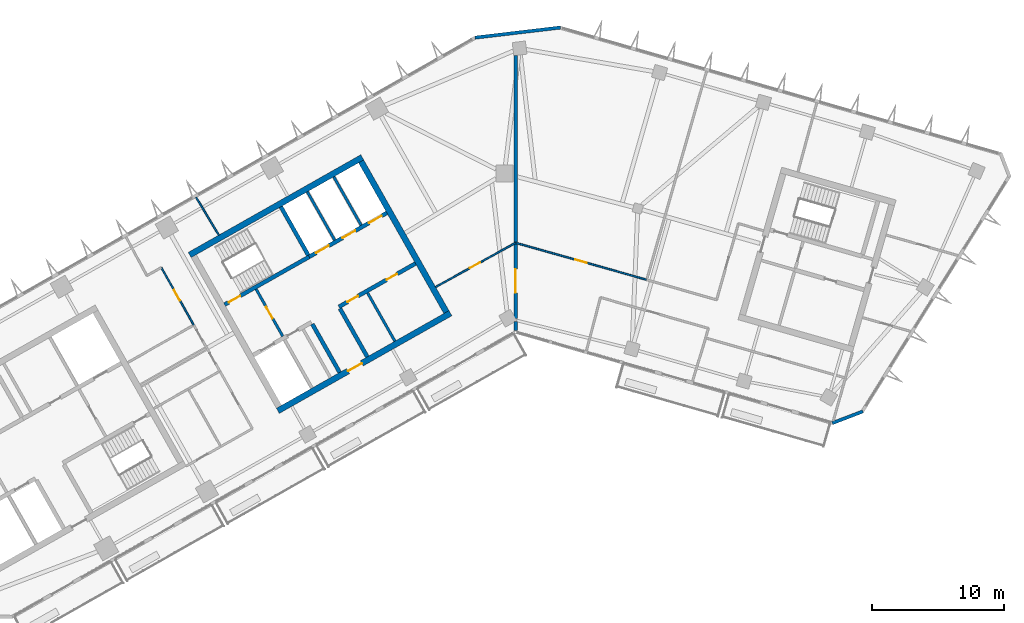
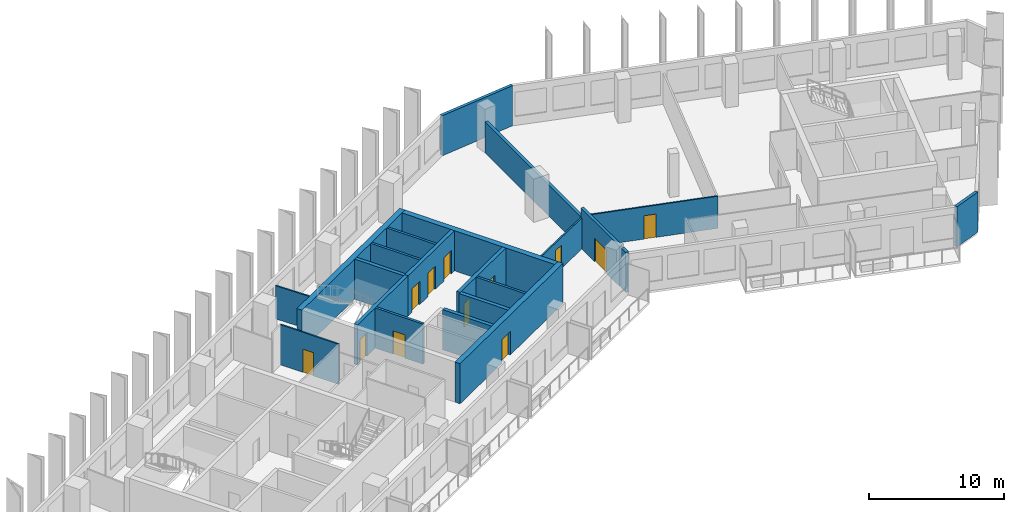
# One storey, part 6 of 12: 22 walls, 12 doors, 12 openings.
"""IFC4 building model written with IfcOpenShell, lengths in metres."""

from ifc_helpers import new_model, si_unit, direction, frame, frame_2d, origin, place, context, subcontext, project, spatial, rectangle, extrude, material, layer, layer_set, type_object, element, fill, save


model = new_model("IFC4")

# Units and contexts
model_context = context("Model", 3, precision=1e-05, world=origin(), true_north=direction((0.0, 1.0)))
body_context = subcontext(model_context, "Body", "Model", "MODEL_VIEW")
ifc_project = project(units=[si_unit("LENGTHUNIT", "METRE"), si_unit("AREAUNIT", "SQUARE_METRE"), si_unit("VOLUMEUNIT", "CUBIC_METRE"), si_unit("PLANEANGLEUNIT", "RADIAN"), si_unit("MASSUNIT", "GRAM", prefix="KILO")], contexts=[model_context])

# Site, building, storey
site_placement = place(None, origin())
site = spatial("IfcSite", under=ifc_project, at=site_placement, CompositionType="ELEMENT")
building_placement = place(site_placement, origin())
building = spatial("IfcBuilding", under=site, at=building_placement, Name="Binnacle Exchange Tower", CompositionType="ELEMENT")
storey_placement = place(building_placement, frame((0.0, 0.0, 215.300048828125)))
storey = spatial("IfcBuildingStorey", under=building, at=storey_placement, Name="L47", CompositionType="ELEMENT", Elevation=215.300048828125)

# Wall
ifc_material_1 = material(Name="Gypsum partition fire rated")
ifc_layer_1 = layer(ifc_material_1, 0.199951171875)
ifc_layer_set_1 = layer_set([ifc_layer_1], Name="Core partition 200")
wall_type_1 = type_object("IfcWallType", Name="Core partition 200", PredefinedType="PARTITIONING", material=ifc_layer_set_1)
wall_1_placement = place(storey_placement, frame((-11.201904296875, 50.96240234375, 0.0), z_axis=(0.0, 0.0, 1.0), x_axis=(0.492453686477, -0.870338650569, 0.0)))
element("IfcWall", 1, at=wall_1_placement, inside=storey, type_object=wall_type_1, Name="Core wall CRWC19", PredefinedType="PARTITIONING", context=body_context, shape_type="SweptSolid", body=[
    extrude(rectangle(XDim=4.2001953125, YDim=0.199951171875, at=frame_2d((2.10009765625, 0.0))), origin(), (0.0, 0.0, 1.0), 3.619873046875),
])

# Wall, openings, doors
ifc_material_2 = material(Name="Concrete C70/85", Category="concrete")
ifc_layer_2 = layer(ifc_material_2, 0.300048828125)
ifc_layer_set_2 = layer_set([ifc_layer_2], Name="Core wall - front 300")
wall_type_2 = type_object("IfcWallType", Name="Core wall - front 300", PredefinedType="SOLIDWALL", material=ifc_layer_set_2)
wall_2_placement = place(storey_placement, frame((-13.364501953125, 49.910888671875, 0.0), z_axis=(0.0, 0.0, 1.0), x_axis=(0.870352159619, 0.492429810477, 0.0)))
wall_2 = element("IfcWall", 2, at=wall_2_placement, inside=storey, type_object=wall_type_2, Name="Core wall CRWC3", PredefinedType="SOLIDWALL", context=body_context, shape_type="SweptSolid", body=[
    extrude(rectangle(XDim=6.64990234375, YDim=0.300048828125, at=frame_2d((3.324951171875, 0.0))), origin(), (0.0, 0.0, 1.0), 3.619873046875),
])
opening_1_placement = place(wall_2_placement, frame((0.75, 0.0, 0.0)))
opening_1 = element("IfcOpeningElement", 3, at=opening_1_placement, cuts=wall_2, Name="Opening DC18", PredefinedType="OPENING", context=body_context, shape_type="SweptSolid", body=[
    extrude(rectangle(XDim=0.89990234375, YDim=2.10009765625, at=frame_2d((0.449951171875, 1.050048828125))), frame((0.0, 0.159912109375, 0.0), z_axis=(0.0, -1.0, 0.0), x_axis=(1.0, 0.0, 0.0)), (0.0, 0.0, 1.0), 0.320068359375),
])
opening_2_placement = place(wall_2_placement, frame((4.14990234375, 0.0, 0.0)))
opening_2 = element("IfcOpeningElement", 4, at=opening_2_placement, cuts=wall_2, Name="Opening DC19", PredefinedType="OPENING", context=body_context, shape_type="SweptSolid", body=[
    extrude(rectangle(XDim=0.89990234375, YDim=2.10009765625, at=frame_2d((0.449951171875, 1.050048828125))), frame((0.0, 0.159912109375, 0.0), z_axis=(0.0, -1.0, 0.0), x_axis=(1.0, 0.0, 0.0)), (0.0, 0.0, 1.0), 0.320068359375),
])
ifc_material_3 = material(Name="Steel door leaf", Category="steel")
door_type_1 = type_object("IfcDoorType", Name="Fire door 900", OperationType="NOTDEFINED", PredefinedType="DOOR", material=ifc_material_3)
door_1_placement = place(opening_1_placement, frame((0.89990234375, 0.0, 0.0), z_axis=(0.0, 0.0, 1.0), x_axis=(-1.0, 0.0, 0.0)))
door_1 = element("IfcDoor", 5, at=door_1_placement, inside=storey, type_object=door_type_1, Name="Core room door COMMS RISER ROOM", OperationType="SINGLE_SWING_RIGHT", OverallHeight=2.10009765625, OverallWidth=0.89990234375, PredefinedType="DOOR", context=body_context, shape_type="SweptSolid", body=[
    extrude(rectangle(XDim=0.89990234375, YDim=2.10009765625, at=frame_2d((0.449951171875, 1.050048828125))), frame((0.0, 0.02490234375, 0.0), z_axis=(0.0, -1.0, 0.0), x_axis=(1.0, 0.0, 0.0)), (0.0, 0.0, 1.0), 0.050048828125),
])
fill(opening_1, door_1)
door_2_placement = place(opening_2_placement, frame((0.89990234375, 0.0, 0.0), z_axis=(0.0, 0.0, 1.0), x_axis=(-1.0, 0.0, 0.0)))
door_2 = element("IfcDoor", 6, at=door_2_placement, inside=storey, type_object=door_type_1, Name="Core room door TELECOM RISER ROOM", OperationType="SINGLE_SWING_LEFT", OverallHeight=2.10009765625, OverallWidth=0.89990234375, PredefinedType="DOOR", context=body_context, shape_type="SweptSolid", body=[
    extrude(rectangle(XDim=0.89990234375, YDim=2.10009765625, at=frame_2d((0.449951171875, 1.050048828125))), frame((0.0, 0.02490234375, 0.0), z_axis=(0.0, -1.0, 0.0), x_axis=(1.0, 0.0, 0.0)), (0.0, 0.0, 1.0), 0.050048828125),
])
fill(opening_2, door_2)

wall_3_placement = place(storey_placement, frame((-15.6181640625, 53.69140625, 0.0), z_axis=(0.0, 0.0, 1.0), x_axis=(0.870358646884, 0.492418344291, 0.0)))
wall_3 = element("IfcWall", 7, at=wall_3_placement, inside=storey, type_object=wall_type_2, Name="Core wall CRWC5", PredefinedType="SOLIDWALL", context=body_context, shape_type="SweptSolid", body=[
    extrude(rectangle(XDim=6.749755859375, YDim=0.300048828125, at=frame_2d((3.375, 0.0))), origin(), (0.0, 0.0, 1.0), 3.619873046875),
])
opening_3_placement = place(wall_3_placement, frame((0.60009765625, 0.0, 0.0)))
opening_3 = element("IfcOpeningElement", 8, at=opening_3_placement, cuts=wall_3, Name="Opening LD5", PredefinedType="OPENING", context=body_context, shape_type="SweptSolid", body=[
    extrude(rectangle(XDim=1.10009765625, YDim=2.10009765625, at=frame_2d((0.550048828125, 1.050048828125))), frame((0.0, 0.159912109375, 0.0), z_axis=(0.0, -1.0, 0.0), x_axis=(1.0, 0.0, 0.0)), (0.0, 0.0, 1.0), 0.320068359375),
])
opening_4_placement = place(wall_3_placement, frame((2.89990234375, 0.0, 0.0)))
opening_4 = element("IfcOpeningElement", 9, at=opening_4_placement, cuts=wall_3, Name="Opening LD6", PredefinedType="OPENING", context=body_context, shape_type="SweptSolid", body=[
    extrude(rectangle(XDim=1.10009765625, YDim=2.10009765625, at=frame_2d((0.550048828125, 1.050048828125))), frame((0.0, 0.159912109375, 0.0), z_axis=(0.0, -1.0, 0.0), x_axis=(1.0, 0.0, 0.0)), (0.0, 0.0, 1.0), 0.320068359375),
])
opening_5_placement = place(wall_3_placement, frame((5.199951171875, 0.0, 0.0)))
opening_5 = element("IfcOpeningElement", 10, at=opening_5_placement, cuts=wall_3, Name="Opening LD7", PredefinedType="OPENING", context=body_context, shape_type="SweptSolid", body=[
    extrude(rectangle(XDim=1.10009765625, YDim=2.10009765625, at=frame_2d((0.550048828125, 1.050048828125))), frame((0.0, 0.159912109375, 0.0), z_axis=(0.0, -1.0, 0.0), x_axis=(1.0, 0.0, 0.0)), (0.0, 0.0, 1.0), 0.320068359375),
])
door_type_2 = type_object("IfcDoorType", Name="Fire door - lift landing 1100", OperationType="NOTDEFINED", PredefinedType="DOOR", material=ifc_material_3)
door_3_placement = place(opening_3_placement, origin())
door_3 = element("IfcDoor", 11, at=door_3_placement, inside=storey, type_object=door_type_2, Name="Landing door LD5 L47", OperationType="DOUBLE_DOOR_SLIDING", OverallHeight=2.10009765625, OverallWidth=1.10009765625, PredefinedType="DOOR", context=body_context, shape_type="SweptSolid", body=[
    extrude(rectangle(XDim=1.10009765625, YDim=2.10009765625, at=frame_2d((0.550048828125, 1.050048828125))), frame((0.0, 0.02490234375, 0.0), z_axis=(0.0, -1.0, 0.0), x_axis=(1.0, 0.0, 0.0)), (0.0, 0.0, 1.0), 0.050048828125),
])
fill(opening_3, door_3)
door_4_placement = place(opening_4_placement, origin())
door_4 = element("IfcDoor", 12, at=door_4_placement, inside=storey, type_object=door_type_2, Name="Landing door LD6 L47", OperationType="DOUBLE_DOOR_SLIDING", OverallHeight=2.10009765625, OverallWidth=1.10009765625, PredefinedType="DOOR", context=body_context, shape_type="SweptSolid", body=[
    extrude(rectangle(XDim=1.10009765625, YDim=2.10009765625, at=frame_2d((0.550048828125, 1.050048828125))), frame((0.0, 0.02490234375, 0.0), z_axis=(0.0, -1.0, 0.0), x_axis=(1.0, 0.0, 0.0)), (0.0, 0.0, 1.0), 0.050048828125),
])
fill(opening_4, door_4)
door_5_placement = place(opening_5_placement, origin())
door_5 = element("IfcDoor", 13, at=door_5_placement, inside=storey, type_object=door_type_2, Name="Landing door LD7 L47", OperationType="DOUBLE_DOOR_SLIDING", OverallHeight=2.10009765625, OverallWidth=1.10009765625, PredefinedType="DOOR", context=body_context, shape_type="SweptSolid", body=[
    extrude(rectangle(XDim=1.10009765625, YDim=2.10009765625, at=frame_2d((0.550048828125, 1.050048828125))), frame((0.0, 0.02490234375, 0.0), z_axis=(0.0, -1.0, 0.0), x_axis=(1.0, 0.0, 0.0)), (0.0, 0.0, 1.0), 0.050048828125),
])
fill(opening_5, door_5)

# Walls
for number, where, z_axis, x_axis, name in (
    (14, (-15.37939453125, 48.5986328125, 0.0), (0.0, 0.0, 1.0), (0.492409653846, -0.870363563575, 0.0), "Core wall CRWC13"),
    (15, (-13.29052734375, 49.780517578125, 0.0), (0.0, 0.0, 1.0), (0.492409653846, -0.870363563575, 0.0), "Core wall CRWC15"),
):
    element("IfcWall", number, at=place(storey_placement, frame(where, z_axis=z_axis, x_axis=x_axis)), inside=storey, type_object=wall_type_2, Name=name, PredefinedType="SOLIDWALL", context=body_context, shape_type="SweptSolid", body=[
        extrude(rectangle(XDim=4.199951171875, YDim=0.300048828125, at=frame_2d((2.10009765625, 0.0))), origin(), (0.0, 0.0, 1.0), 3.619873046875),
    ])

# Wall, opening, door
ifc_layer_3 = layer(ifc_material_2, 0.449951171875)
ifc_layer_set_3 = layer_set([ifc_layer_3], Name="Core wall - outer 450")
wall_type_3 = type_object("IfcWallType", Name="Core wall - outer 450", PredefinedType="SOLIDWALL", material=ifc_layer_set_3)
wall_4_placement = place(storey_placement, frame((-17.987548828125, 42.0390625, 0.0), z_axis=(0.0, 0.0, 1.0), x_axis=(0.870360574057, 0.492414937962, 0.0)))
wall_4 = element("IfcWall", 16, at=wall_4_placement, inside=storey, type_object=wall_type_3, Name="Core wall CRWC1", PredefinedType="SOLIDWALL", context=body_context, shape_type="SweptSolid", body=[
    extrude(rectangle(XDim=15.0, YDim=0.449951171875, at=frame_2d((7.5, 0.0))), origin(), (0.0, 0.0, 1.0), 3.619873046875),
])
opening_6_placement = place(wall_4_placement, frame((6.10009765625, 0.0, 0.0)))
opening_6 = element("IfcOpeningElement", 17, at=opening_6_placement, cuts=wall_4, Name="Opening DC7", PredefinedType="OPENING", context=body_context, shape_type="SweptSolid", body=[
    extrude(rectangle(XDim=1.199951171875, YDim=2.10009765625, at=frame_2d((0.60009765625, 1.050048828125))), frame((0.0, 0.23486328125, 0.0), z_axis=(0.0, -1.0, 0.0), x_axis=(1.0, 0.0, 0.0)), (0.0, 0.0, 1.0), 0.469970703125),
])
door_type_3 = type_object("IfcDoorType", Name="Fire door 1200", OperationType="NOTDEFINED", PredefinedType="DOOR", material=ifc_material_3)
door_6_placement = place(opening_6_placement, frame((1.199951171875, 0.0, 0.0), z_axis=(0.0, 0.0, 1.0), x_axis=(-1.0, 0.0, 0.0)))
door_6 = element("IfcDoor", 18, at=door_6_placement, inside=storey, type_object=door_type_3, Name="Lift lobby entrance door core C", OperationType="SINGLE_SWING_RIGHT", OverallHeight=2.10009765625, OverallWidth=1.199951171875, PredefinedType="DOOR", context=body_context, shape_type="SweptSolid", body=[
    extrude(rectangle(XDim=1.199951171875, YDim=2.10009765625, at=frame_2d((0.60009765625, 1.050048828125))), frame((0.0, 0.02490234375, 0.0), z_axis=(0.0, -1.0, 0.0), x_axis=(1.0, 0.0, 0.0)), (0.0, 0.0, 1.0), 0.050048828125),
])
fill(opening_6, door_6)

# Walls
wall_5_placement = place(storey_placement, frame((-24.659912109375, 53.832275390625, 0.0), z_axis=(0.0, 0.0, 1.0), x_axis=(0.870353598469, 0.492427267353, 0.0)))
element("IfcWall", 19, at=wall_5_placement, inside=storey, type_object=wall_type_3, Name="Core wall CRWC6", PredefinedType="SOLIDWALL", context=body_context, shape_type="SweptSolid", body=[
    extrude(rectangle(XDim=15.000244140625, YDim=0.449951171875, at=frame_2d((7.5, 0.0))), origin(), (0.0, 0.0, 1.0), 3.619873046875),
])
wall_6_placement = place(storey_placement, frame((-11.689453125, 60.912109375, 0.0), z_axis=(0.0, 0.0, 1.0), x_axis=(0.492421378713, -0.870356930107, 0.0)))
element("IfcWall", 20, at=wall_6_placement, inside=storey, type_object=wall_type_3, Name="Core wall CRWC24", PredefinedType="SOLIDWALL", context=body_context, shape_type="SweptSolid", body=[
    extrude(rectangle(XDim=13.099853515625, YDim=0.449951171875, at=frame_2d((6.5498046875, 0.0))), origin(), (0.0, 0.0, 1.0), 3.619873046875),
])

# Wall, opening, door
ifc_layer_4 = layer(ifc_material_2, 0.300048828125)
ifc_layer_set_4 = layer_set([ifc_layer_4], Name="Core wall - stair 300")
wall_type_4 = type_object("IfcWallType", Name="Core wall - stair 300", PredefinedType="SOLIDWALL", material=ifc_layer_set_4)
wall_7_placement = place(storey_placement, frame((-22.015380859375, 50.072021484375, 0.0), z_axis=(0.0, 0.0, 1.0), x_axis=(0.870354900257, 0.492424966466, 0.0)))
wall_7 = element("IfcWall", 21, at=wall_7_placement, inside=storey, type_object=wall_type_4, Name="Core wall CRWC4", PredefinedType="SOLIDWALL", context=body_context, shape_type="SweptSolid", body=[
    extrude(rectangle(XDim=7.35009765625, YDim=0.300048828125, at=frame_2d((3.675048828125, 0.0))), origin(), (0.0, 0.0, 1.0), 3.619873046875),
])
opening_7_placement = place(wall_7_placement, frame((0.35009765625, 0.0, 0.0)))
opening_7 = element("IfcOpeningElement", 22, at=opening_7_placement, cuts=wall_7, Name="Opening DC1", PredefinedType="OPENING", context=body_context, shape_type="SweptSolid", body=[
    extrude(rectangle(XDim=1.0, YDim=2.10009765625, at=frame_2d((0.5, 1.050048828125))), frame((0.0, 0.159912109375, 0.0), z_axis=(0.0, -1.0, 0.0), x_axis=(1.0, 0.0, 0.0)), (0.0, 0.0, 1.0), 0.320068359375),
])
door_type_4 = type_object("IfcDoorType", Name="Fire door 1000", OperationType="NOTDEFINED", PredefinedType="DOOR", material=ifc_material_3)
door_7_placement = place(opening_7_placement, origin())
door_7 = element("IfcDoor", 23, at=door_7_placement, inside=storey, type_object=door_type_4, Name="Stair door ST-C1", OperationType="SINGLE_SWING_LEFT", OverallHeight=2.10009765625, OverallWidth=1.0, PredefinedType="DOOR", context=body_context, shape_type="SweptSolid", body=[
    extrude(rectangle(XDim=1.0, YDim=2.10009765625, at=frame_2d((0.5, 1.050048828125))), frame((0.0, 0.02490234375, 0.0), z_axis=(0.0, -1.0, 0.0), x_axis=(1.0, 0.0, 0.0)), (0.0, 0.0, 1.0), 0.050048828125),
])
fill(opening_7, door_7)

# Walls
wall_8_placement = place(storey_placement, frame((-17.76025390625, 57.477294921875, 0.0), z_axis=(0.0, 0.0, 1.0), x_axis=(0.49243456751, -0.870349468157, 0.0)))
element("IfcWall", 24, at=wall_8_placement, inside=storey, type_object=wall_type_4, Name="Core wall CRWC14", PredefinedType="SOLIDWALL", context=body_context, shape_type="SweptSolid", body=[
    extrude(rectangle(XDim=4.19970703125, YDim=0.300048828125, at=frame_2d((2.099853515625, 0.0))), origin(), (0.0, 0.0, 1.0), 3.619873046875),
])
ifc_material_4 = material(Name="Bronze aluminium cladding", Category="aluminium")
ifc_layer_5 = layer(ifc_material_4, 0.25)
ifc_layer_set_5 = layer_set([ifc_layer_5], Name="External wall - window wall 250")
wall_type_5 = type_object("IfcWallType", Name="External wall - window wall 250", PredefinedType="STANDARD", material=ifc_layer_set_5)
wall_9_placement = place(storey_placement, frame((26.27001953125, 41.993408203125, 0.0), z_axis=(0.0, 0.0, 1.0), x_axis=(-0.933573798066, -0.358385216722, 0.0)))
element("IfcWall", 25, at=wall_9_placement, inside=storey, type_object=wall_type_5, Name="External wall EW-G03 L47", PredefinedType="STANDARD", context=body_context, shape_type="SweptSolid", body=[
    extrude(rectangle(XDim=2.479736328125, YDim=0.25, at=frame_2d((1.23974609375, 0.0))), origin(), (0.0, 0.0, 1.0), 3.619873046875),
])
wall_10_placement = place(storey_placement, frame((-3.0712890625, 70.2734375, 0.0), z_axis=(0.0, 0.0, 1.0), x_axis=(0.993064524962, 0.11757061394, 0.0)))
element("IfcWall", 26, at=wall_10_placement, inside=storey, type_object=wall_type_5, Name="External wall EW-G07 L47", PredefinedType="STANDARD", context=body_context, shape_type="SweptSolid", body=[
    extrude(rectangle(XDim=6.505859375, YDim=0.25, at=frame_2d((3.2529296875, 0.0))), origin(), (0.0, 0.0, 1.0), 3.619873046875),
])
ifc_material_5 = material(Name="Concrete fire wall C30/37", Category="concrete")
ifc_layer_6 = layer(ifc_material_5, 0.25)
ifc_layer_set_6 = layer_set([ifc_layer_6], Name="Fire wall - compartment 250")
wall_type_6 = type_object("IfcWallType", Name="Fire wall - compartment 250", PredefinedType="PARTITIONING", material=ifc_layer_set_6)
wall_11_placement = place(storey_placement, frame((0.0, 48.1298828125, 0.0), z_axis=(0.0, 0.0, 1.0), x_axis=(0.0, 1.0, 0.0)))
element("IfcWall", 27, at=wall_11_placement, inside=storey, type_object=wall_type_6, Name="Fire Wall W18", PredefinedType="PARTITIONING", context=body_context, shape_type="SweptSolid", body=[
    extrude(rectangle(XDim=0.674072265625, YDim=0.25, at=frame_2d((0.3369140625, 0.0))), origin(), (0.0, 0.0, 1.0), 3.619873046875),
])

# Wall, opening, door
wall_12_placement = place(storey_placement, frame((0.0, 49.014892578125, 0.0), z_axis=(0.0, 0.0, 1.0), x_axis=(0.0, 1.0, 0.0)))
wall_12 = element("IfcWall", 28, at=wall_12_placement, inside=storey, type_object=wall_type_6, Name="Fire Wall W19", PredefinedType="PARTITIONING", context=body_context, shape_type="SweptSolid", body=[
    extrude(rectangle(XDim=5.735107421875, YDim=0.25, at=frame_2d((2.86767578125, 0.0))), origin(), (0.0, 0.0, 1.0), 3.619873046875),
])
opening_8_placement = place(wall_12_placement, frame((1.949951171875, 0.0, 0.0)))
opening_8 = element("IfcOpeningElement", 29, at=opening_8_placement, cuts=wall_12, Name="Opening DL45-14", PredefinedType="OPENING", context=body_context, shape_type="SweptSolid", body=[
    extrude(rectangle(XDim=1.800048828125, YDim=2.10009765625, at=frame_2d((0.89990234375, 1.050048828125))), frame((0.0, 0.135009765625, 0.0), z_axis=(0.0, -1.0, 0.0), x_axis=(1.0, 0.0, 0.0)), (0.0, 0.0, 1.0), 0.27001953125),
])
door_type_5 = type_object("IfcDoorType", Name="Fire door 1800", OperationType="NOTDEFINED", PredefinedType="DOOR", material=ifc_material_3)
door_8_placement = place(opening_8_placement, origin())
door_8 = element("IfcDoor", 30, at=door_8_placement, inside=storey, type_object=door_type_5, Name="Door DL45-14", OperationType="DOUBLE_DOOR_SINGLE_SWING", OverallHeight=2.10009765625, OverallWidth=1.800048828125, PredefinedType="DOOR", context=body_context, shape_type="SweptSolid", body=[
    extrude(rectangle(XDim=1.800048828125, YDim=2.10009765625, at=frame_2d((0.89990234375, 1.050048828125))), frame((0.0, 0.02490234375, 0.0), z_axis=(0.0, -1.0, 0.0), x_axis=(1.0, 0.0, 0.0)), (0.0, 0.0, 1.0), 0.050048828125),
])
fill(opening_8, door_8)

# Wall
wall_13_placement = place(storey_placement, frame((0.0, 54.75, 0.0), z_axis=(0.0, 0.0, 1.0), x_axis=(0.0, 1.0, 0.0)))
element("IfcWall", 31, at=wall_13_placement, inside=storey, type_object=wall_type_6, Name="Fire Wall W20", PredefinedType="PARTITIONING", context=body_context, shape_type="SweptSolid", body=[
    extrude(rectangle(XDim=14.175048828125, YDim=0.25, at=frame_2d((7.08740234375, 0.0))), origin(), (0.0, 0.0, 1.0), 2.800048828125),
])

# Wall, opening, door
ifc_material_6 = material(Name="Masonry block wall", Category="masonry")
ifc_layer_7 = layer(ifc_material_6, 0.199951171875)
ifc_layer_set_7 = layer_set([ifc_layer_7], Name="Fire wall - vestibule 200")
wall_type_7 = type_object("IfcWallType", Name="Fire wall - vestibule 200", PredefinedType="PARTITIONING", material=ifc_layer_set_7)
wall_14_placement = place(storey_placement, frame((-19.635009765625, 51.246337890625, 0.0), z_axis=(0.0, 0.0, 1.0), x_axis=(0.492408451753, -0.87036424366, 0.0)))
wall_14 = element("IfcWall", 32, at=wall_14_placement, inside=storey, type_object=wall_type_7, Name="Core wall CRWC10", PredefinedType="PARTITIONING", context=body_context, shape_type="SweptSolid", body=[
    extrude(rectangle(XDim=4.099853515625, YDim=0.199951171875, at=frame_2d((2.0498046875, 0.0))), origin(), (0.0, 0.0, 1.0), 3.619873046875),
])
opening_9_placement = place(wall_14_placement, frame((1.550048828125, 0.0, 0.0)))
opening_9 = element("IfcOpeningElement", 33, at=opening_9_placement, cuts=wall_14, Name="Opening DC3", PredefinedType="OPENING", context=body_context, shape_type="SweptSolid", body=[
    extrude(rectangle(XDim=1.0, YDim=2.10009765625, at=frame_2d((0.5, 1.050048828125))), frame((0.0, 0.10986328125, 0.0), z_axis=(0.0, -1.0, 0.0), x_axis=(1.0, 0.0, 0.0)), (0.0, 0.0, 1.0), 0.219970703125),
])
door_9_placement = place(opening_9_placement, frame((1.0, 0.0, 0.0), z_axis=(0.0, 0.0, 1.0), x_axis=(-1.0, 0.0, 0.0)))
door_9 = element("IfcDoor", 34, at=door_9_placement, inside=storey, type_object=door_type_4, Name="Vestibule door VEST-W", OperationType="SINGLE_SWING_RIGHT", OverallHeight=2.10009765625, OverallWidth=1.0, PredefinedType="DOOR", context=body_context, shape_type="SweptSolid", body=[
    extrude(rectangle(XDim=1.0, YDim=2.10009765625, at=frame_2d((0.5, 1.050048828125))), frame((0.0, 0.02490234375, 0.0), z_axis=(0.0, -1.0, 0.0), x_axis=(1.0, 0.0, 0.0)), (0.0, 0.0, 1.0), 0.050048828125),
])
fill(opening_9, door_9)

ifc_material_7 = material(Name="Gypsum partition")
ifc_layer_8 = layer(ifc_material_7, 0.125)
ifc_layer_set_8 = layer_set([ifc_layer_8], Name="Partition 125")
wall_type_8 = type_object("IfcWallType", Name="Partition 125", PredefinedType="PARTITIONING", material=ifc_layer_set_8)
wall_15_placement = place(storey_placement, frame((-26.80810546875, 52.8759765625, 0.0), z_axis=(0.0, 0.0, 1.0), x_axis=(0.492406341242, -0.870365437678, 0.0)))
wall_15 = element("IfcWall", 35, at=wall_15_placement, inside=storey, type_object=wall_type_8, Name="Partition W08", PredefinedType="PARTITIONING", context=body_context, shape_type="SweptSolid", body=[
    extrude(rectangle(XDim=5.000244140625, YDim=0.125, at=frame_2d((2.5, 0.0))), origin(), (0.0, 0.0, 1.0), 3.619873046875),
])
opening_10_placement = place(wall_15_placement, frame((1.949951171875, 0.0, 0.0)))
opening_10 = element("IfcOpeningElement", 36, at=opening_10_placement, cuts=wall_15, Name="Opening DL45-02", PredefinedType="OPENING", context=body_context, shape_type="SweptSolid", body=[
    extrude(rectangle(XDim=0.89990234375, YDim=2.10009765625, at=frame_2d((0.449951171875, 1.050048828125))), frame((0.0, 0.072509765625, 0.0), z_axis=(0.0, -1.0, 0.0), x_axis=(1.0, 0.0, 0.0)), (0.0, 0.0, 1.0), 0.14501953125),
])
ifc_material_8 = material(Name="Timber door leaf", Category="wood")
door_type_6 = type_object("IfcDoorType", Name="Door 900", OperationType="NOTDEFINED", PredefinedType="DOOR", material=ifc_material_8)
door_10_placement = place(opening_10_placement, frame((0.89990234375, 0.0, 0.0), z_axis=(0.0, 0.0, 1.0), x_axis=(-1.0, 0.0, 0.0)))
door_10 = element("IfcDoor", 37, at=door_10_placement, inside=storey, type_object=door_type_6, Name="Door DL45-02", OperationType="SINGLE_SWING_RIGHT", OverallHeight=2.10009765625, OverallWidth=0.89990234375, PredefinedType="DOOR", context=body_context, shape_type="SweptSolid", body=[
    extrude(rectangle(XDim=0.89990234375, YDim=2.10009765625, at=frame_2d((0.449951171875, 1.050048828125))), frame((0.0, 0.02490234375, 0.0), z_axis=(0.0, -1.0, 0.0), x_axis=(1.0, 0.0, 0.0)), (0.0, 0.0, 1.0), 0.050048828125),
])
fill(opening_10, door_10)

# Wall
wall_16_placement = place(storey_placement, frame((-24.1708984375, 58.180908203125, 0.0), z_axis=(0.0, 0.0, 1.0), x_axis=(0.516494881882, -0.856290276127, 0.0)))
element("IfcWall", 38, at=wall_16_placement, inside=storey, type_object=wall_type_8, Name="Partition W13", PredefinedType="PARTITIONING", context=body_context, shape_type="SweptSolid", body=[
    extrude(rectangle(XDim=3.320068359375, YDim=0.125, at=frame_2d((1.66015625, 0.0))), origin(), (0.0, 0.0, 1.0), 2.988037109375),
])

# Wall, opening, door
wall_17_placement = place(storey_placement, frame((-6.052978515625, 51.405029296875, 0.0), z_axis=(0.0, 0.0, 1.0), x_axis=(0.875247434681, 0.483675436718, 0.0)))
wall_17 = element("IfcWall", 39, at=wall_17_placement, inside=storey, type_object=wall_type_8, Name="Partition W17", PredefinedType="PARTITIONING", context=body_context, shape_type="SweptSolid", body=[
    extrude(rectangle(XDim=6.915771484375, YDim=0.125, at=frame_2d((3.4580078125, 0.0))), origin(), (0.0, 0.0, 1.0), 2.800048828125),
])
opening_11_placement = place(wall_17_placement, frame((2.949951171875, 0.0, 0.0)))
opening_11 = element("IfcOpeningElement", 40, at=opening_11_placement, cuts=wall_17, Name="Opening DL45-07", PredefinedType="OPENING", context=body_context, shape_type="SweptSolid", body=[
    extrude(rectangle(XDim=0.89990234375, YDim=2.10009765625, at=frame_2d((0.449951171875, 1.050048828125))), frame((0.0, 0.072509765625, 0.0), z_axis=(0.0, -1.0, 0.0), x_axis=(1.0, 0.0, 0.0)), (0.0, 0.0, 1.0), 0.14501953125),
])
door_11_placement = place(opening_11_placement, origin())
door_11 = element("IfcDoor", 41, at=door_11_placement, inside=storey, type_object=door_type_6, Name="Door DL45-07", OperationType="SINGLE_SWING_LEFT", OverallHeight=2.10009765625, OverallWidth=0.89990234375, PredefinedType="DOOR", context=body_context, shape_type="SweptSolid", body=[
    extrude(rectangle(XDim=0.89990234375, YDim=2.10009765625, at=frame_2d((0.449951171875, 1.050048828125))), frame((0.0, 0.02490234375, 0.0), z_axis=(0.0, -1.0, 0.0), x_axis=(1.0, 0.0, 0.0)), (0.0, 0.0, 1.0), 0.050048828125),
])
fill(opening_11, door_11)

wall_18_placement = place(storey_placement, frame((0.0, 54.75, 0.0), z_axis=(0.0, 0.0, 1.0), x_axis=(0.962504897093, -0.271264304823, 0.0)))
wall_18 = element("IfcWall", 42, at=wall_18_placement, inside=storey, type_object=wall_type_8, Name="Partition W21", PredefinedType="PARTITIONING", context=body_context, shape_type="SweptSolid", body=[
    extrude(rectangle(XDim=10.30322265625, YDim=0.125, at=frame_2d((5.151611328125, 0.0))), origin(), (0.0, 0.0, 1.0), 2.89990234375),
])
opening_12_placement = place(wall_18_placement, frame((4.699951171875, 0.0, 0.0)))
opening_12 = element("IfcOpeningElement", 43, at=opening_12_placement, cuts=wall_18, Name="Opening DL45-08", PredefinedType="OPENING", context=body_context, shape_type="SweptSolid", body=[
    extrude(rectangle(XDim=0.89990234375, YDim=2.10009765625, at=frame_2d((0.449951171875, 1.050048828125))), frame((0.0, 0.072509765625, 0.0), z_axis=(0.0, -1.0, 0.0), x_axis=(1.0, 0.0, 0.0)), (0.0, 0.0, 1.0), 0.14501953125),
])
door_12_placement = place(opening_12_placement, origin())
door_12 = element("IfcDoor", 44, at=door_12_placement, inside=storey, type_object=door_type_6, Name="Door DL45-08", OperationType="SINGLE_SWING_LEFT", OverallHeight=2.10009765625, OverallWidth=0.89990234375, PredefinedType="DOOR", context=body_context, shape_type="SweptSolid", body=[
    extrude(rectangle(XDim=0.89990234375, YDim=2.10009765625, at=frame_2d((0.449951171875, 1.050048828125))), frame((0.0, 0.02490234375, 0.0), z_axis=(0.0, -1.0, 0.0), x_axis=(1.0, 0.0, 0.0)), (0.0, 0.0, 1.0), 0.050048828125),
])
fill(opening_12, door_12)

# Walls
ifc_layer_9 = layer(ifc_material_6, 0.199951171875)
ifc_layer_set_9 = layer_set([ifc_layer_9], Name="Shaft wall 200")
wall_type_9 = type_object("IfcWallType", Name="Shaft wall 200", PredefinedType="SOLIDWALL", material=ifc_layer_set_9)
for number, where, z_axis, x_axis, name in (
    (45, (-15.75830078125, 58.60986328125, 0.0), (0.0, 0.0, 1.0), (0.492409653846, -0.870363563575, 0.0), "Core wall CRWC18"),
    (46, (-13.756591796875, 59.742431640625, 0.0), (0.0, 0.0, 1.0), (0.492409653846, -0.870363563575, 0.0), "Core wall CRWC21"),
):
    element("IfcWall", number, at=place(storey_placement, frame(where, z_axis=z_axis, x_axis=x_axis)), inside=storey, type_object=wall_type_9, Name=name, PredefinedType="SOLIDWALL", context=body_context, shape_type="SweptSolid", body=[
        extrude(rectangle(XDim=4.199951171875, YDim=0.199951171875, at=frame_2d((2.10009765625, 0.0))), origin(), (0.0, 0.0, 1.0), 3.619873046875),
    ])

save(model, "model.ifc")
